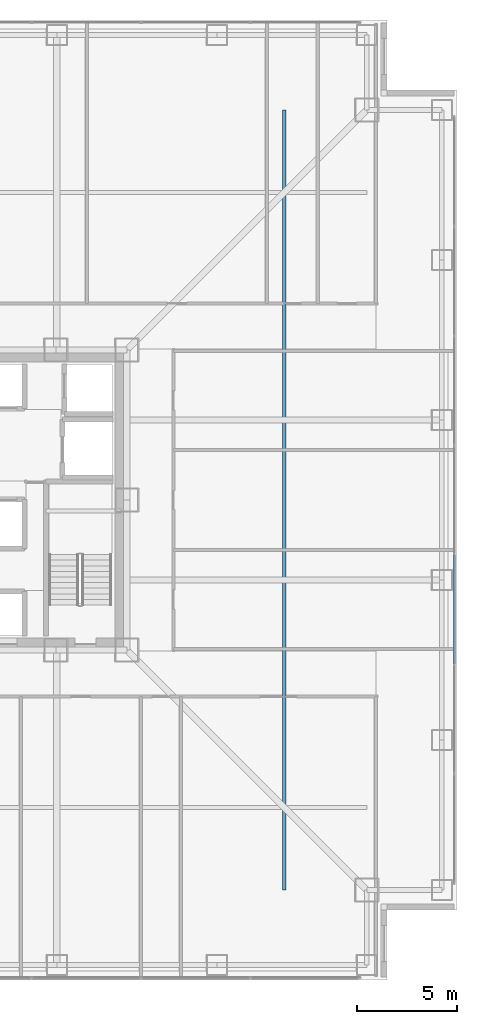
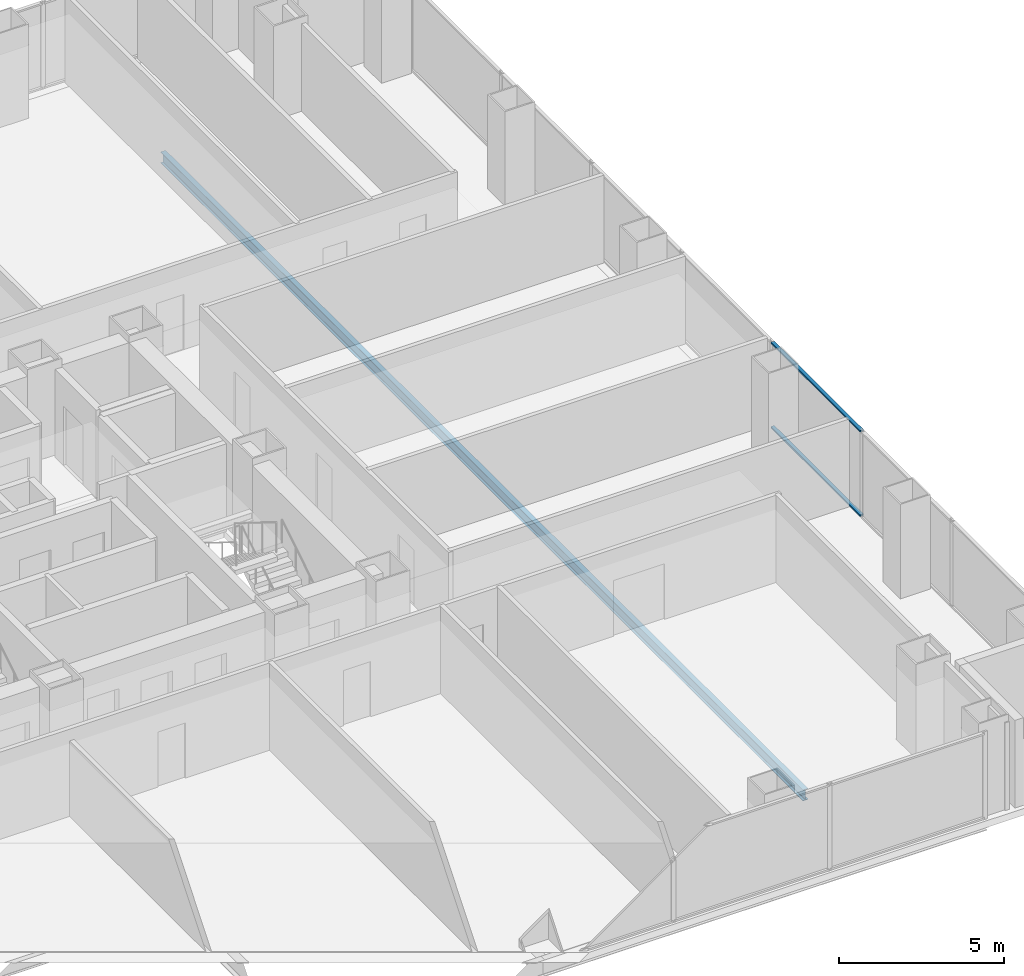
# One storey, part 9 of 19: 2 members, 1 beam, 1 element without a shape of its own.
"""IFC4 building model written with IfcOpenShell, lengths in metres."""

from ifc_helpers import new_model, si_unit, direction, frame, origin, origin_2d, place, context, subcontext, project, spatial, rectangle, i_section, extrude, material, layer, layer_set, material_profile, profile_set, type_object, element, aggregate, save


model = new_model("IFC4")

# Units and contexts
model_context = context("Model", 3, precision=1e-05, world=origin(), true_north=direction((0.0, 1.0)))
body_context = subcontext(model_context, "Body", "Model", "MODEL_VIEW")
ifc_project = project(units=[si_unit("LENGTHUNIT", "METRE"), si_unit("AREAUNIT", "SQUARE_METRE"), si_unit("VOLUMEUNIT", "CUBIC_METRE"), si_unit("PLANEANGLEUNIT", "RADIAN"), si_unit("MASSUNIT", "GRAM", prefix="KILO")], contexts=[model_context])

# Site, building, storey
site_placement = place(None, origin())
site = spatial("IfcSite", under=ifc_project, at=site_placement, CompositionType="ELEMENT")
building_placement = place(site_placement, origin())
building = spatial("IfcBuilding", under=site, at=building_placement, Name="Trevonay Congress Spire", CompositionType="ELEMENT")
storey_placement = place(building_placement, frame((0.0, 0.0, 41.0)))
storey = spatial("IfcBuildingStorey", under=building, at=storey_placement, Name="L09", CompositionType="ELEMENT", Elevation=41.0)

# Curtain wall, members
ifc_material_1 = material(Name="Pale Anodised Aluminium EN AW-6063-T6", Category="aluminium")
ifc_layer = layer(ifc_material_1, 0.179931640625, Name="Pale Anodised Aluminium EN AW-6063-T6")
ifc_layer_set = layer_set([ifc_layer], Name="Pale Anodised Aluminium EN AW-6063-T6")
curtain_wall_type = type_object("IfcCurtainWallType", Name="CW-SYS02-HOTEL-PALE-METAL", PredefinedType="NOTDEFINED", material=ifc_layer_set)
curtain_wall_placement = place(storey_placement, origin())
curtain_wall = element("IfcCurtainWall", 1, at=curtain_wall_placement, inside=storey, type_object=curtain_wall_type, Name="L09 E unitised curtain wall", PredefinedType="NOTDEFINED")
ifc_material_profile_1 = material_profile(ifc_material_1, rectangle(XDim=0.1201171875, YDim=0.06005859375, at=origin_2d()), Name="CW-TRANSOM-120-ALUMINIUM")
ifc_profile_set_1 = profile_set([ifc_material_profile_1], Name="Pale Anodised Aluminium EN AW-6063-T6")
member_type = type_object("IfcMemberType", Name="CW-TRANSOM-120-ALUMINIUM", PredefinedType="USERDEFINED", material=ifc_profile_set_1)
member_1_placement = place(storey_placement, frame((23.8798828125, -8.17724609375, 0.06005859375), z_axis=(0.0, 1.0, 0.0), x_axis=(-1.0, 0.0, 0.0)))
member_1 = element("IfcMember", 2, at=member_1_placement, type_object=member_type, Name="CW02 transom 3.1", ObjectType="TRANSOM", PredefinedType="USERDEFINED", context=body_context, shape_type="SweptSolid", body=[
    extrude(rectangle(XDim=0.1201171875, YDim=0.06005859375, at=origin_2d()), origin(), (0.0, 0.0, 1.0), 5.41162109375),
])
member_2_placement = place(storey_placement, frame((23.8798828125, -8.17724609375, 3.18994140625), z_axis=(0.0, 1.0, 0.0), x_axis=(-1.0, 0.0, 0.0)))
member_2 = element("IfcMember", 3, at=member_2_placement, type_object=member_type, Name="CW02 transom 3.2", ObjectType="TRANSOM", PredefinedType="USERDEFINED", context=body_context, shape_type="SweptSolid", body=[
    extrude(rectangle(XDim=0.1201171875, YDim=0.06005859375, at=origin_2d()), origin(), (0.0, 0.0, 1.0), 5.41162109375),
])
aggregate(curtain_wall, [member_1, member_2])

# Beam
ifc_material_2 = material(Name="Steel ASTM A572 Grade 50", Category="steel")
ifc_material_profile_2 = material_profile(ifc_material_2, i_section(OverallWidth=0.177978515625, OverallDepth=0.406982421875, WebThickness=0.0078125, FlangeThickness=0.0126953125, FilletRadius=0.012939453125, at=origin_2d()), Name="W410x60")
ifc_profile_set_2 = profile_set([ifc_material_profile_2], Name="Steel ASTM A572 Grade 50")
beam_type = type_object("IfcBeamType", Name="JS-COMP-W410X60", PredefinedType="JOIST", material=ifc_profile_set_2)
beam_placement = place(storey_placement, frame((15.375, -19.5, -0.45361328125), z_axis=(0.0, 1.0, 0.0), x_axis=(-1.0, 0.0, 0.0)))
element("IfcBeam", 4, at=beam_placement, inside=storey, type_object=beam_type, Name="L09 structural beam JS-L09-RING-E", PredefinedType="JOIST", context=body_context, shape_type="SweptSolid", body=[
    extrude(i_section(OverallWidth=0.177978515625, OverallDepth=0.406982421875, WebThickness=0.0078125, FlangeThickness=0.0126953125, FilletRadius=0.012939453125, at=origin_2d()), origin(), (0.0, 0.0, 1.0), 39.0),
])

save(model, "model.ifc")
